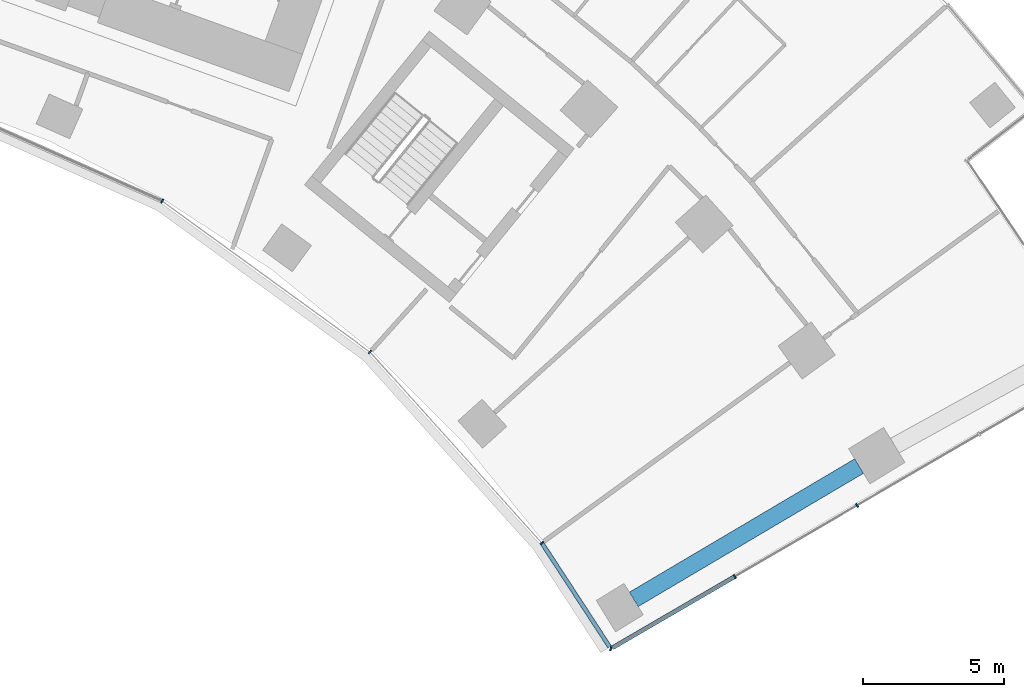
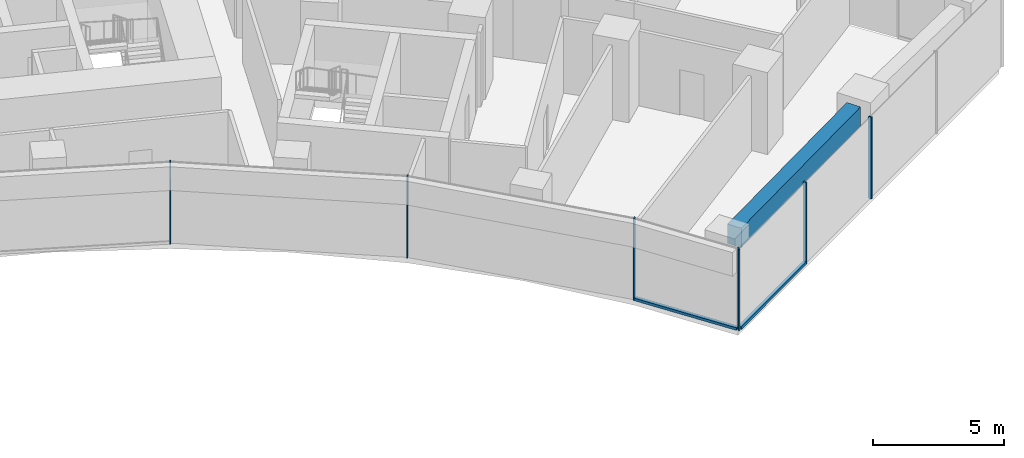
# One storey, part 7 of 21: 8 members, 1 beam, 2 elements without a shape of their own.
"""IFC4 building model written with IfcOpenShell, lengths in metres."""

from ifc_helpers import new_model, si_unit, direction, frame, origin, origin_2d, place, context, subcontext, project, spatial, rectangle, extrude, material, layer, layer_set, material_profile, profile_set, type_object, element, aggregate, save


model = new_model("IFC4")

# Units and contexts
model_context = context("Model", 3, precision=1e-05, world=origin(), true_north=direction((0.0, 1.0)))
body_context = subcontext(model_context, "Body", "Model", "MODEL_VIEW")
ifc_project = project(units=[si_unit("LENGTHUNIT", "METRE"), si_unit("AREAUNIT", "SQUARE_METRE"), si_unit("VOLUMEUNIT", "CUBIC_METRE"), si_unit("PLANEANGLEUNIT", "RADIAN"), si_unit("MASSUNIT", "GRAM", prefix="KILO")], contexts=[model_context])

# Site, building, storey
site_placement = place(None, origin())
site = spatial("IfcSite", under=ifc_project, at=site_placement, CompositionType="ELEMENT")
building_placement = place(site_placement, origin())
building = spatial("IfcBuilding", under=site, at=building_placement, Name="Stone Belt Terrace Tower", CompositionType="ELEMENT")
storey_placement = place(building_placement, frame((0.0, 0.0, 117.39990234375)))
storey = spatial("IfcBuildingStorey", under=building, at=storey_placement, Name="L28", CompositionType="ELEMENT", Elevation=117.39990234375)

# Curtain wall, members
ifc_material_1 = material(Name="Aluminium 6063-T6 anodised frame", Category="aluminium")
ifc_layer_1 = layer(ifc_material_1, 0.14990234375)
ifc_layer_set_1 = layer_set([ifc_layer_1], Name="CW-B unitised concave-face curtain wall")
curtain_wall_type_1 = type_object("IfcCurtainWallType", Name="CW-B unitised concave-face curtain wall", PredefinedType="NOTDEFINED", material=ifc_layer_set_1)
curtain_wall_1_placement = place(storey_placement, origin())
curtain_wall_1 = element("IfcCurtainWall", 1, at=curtain_wall_1_placement, inside=storey, type_object=curtain_wall_type_1, Name="CW-B concave face L28", PredefinedType="NOTDEFINED")
ifc_material_profile_1 = material_profile(ifc_material_1, rectangle(XDim=0.14990234375, YDim=0.050048828125, at=origin_2d()), Name="Aluminium 6063-T6 50x150")
ifc_profile_set_1 = profile_set([ifc_material_profile_1], Name="Aluminium 6063-T6 anodised frame")
member_type_1 = type_object("IfcMemberType", Name="CW-B mullion 50 x 150", PredefinedType="MULLION", material=ifc_profile_set_1)
member_1_placement = place(storey_placement, frame((21.71240234375, 37.606689453125, 0.0), z_axis=(0.0, 0.0, 1.0), x_axis=(0.5, 0.866025403784, 0.0)))
member_1 = element("IfcMember", 2, at=member_1_placement, type_object=member_type_1, Name="CW-B mullion 8", PredefinedType="MULLION", context=body_context, shape_type="SweptSolid", body=[
    extrude(rectangle(XDim=0.14990234375, YDim=0.050048828125, at=origin_2d()), origin(), (0.0, 0.0, 1.0), 3.800048828125),
])
member_2_placement = place(storey_placement, frame((29.056640625, 32.270751953125, 0.0), z_axis=(0.0, 0.0, 1.0), x_axis=(0.669130606359, 0.743144825477, 0.0)))
member_2 = element("IfcMember", 3, at=member_2_placement, type_object=member_type_1, Name="CW-B mullion 9", PredefinedType="MULLION", context=body_context, shape_type="SweptSolid", body=[
    extrude(rectangle(XDim=0.14990234375, YDim=0.050048828125, at=origin_2d()), origin(), (0.0, 0.0, 1.0), 3.800048828125),
])
member_3_placement = place(storey_placement, frame((35.132568359375, 25.522705078125, 0.0), z_axis=(0.0, 0.0, 1.0), x_axis=(0.792811047542, 0.609467507662, 0.0)))
member_3 = element("IfcMember", 4, at=member_3_placement, type_object=member_type_1, Name="CW-B mullion 10", PredefinedType="MULLION", context=body_context, shape_type="SweptSolid", body=[
    extrude(rectangle(XDim=0.14990234375, YDim=0.050048828125, at=origin_2d()), origin(), (0.0, 0.0, 1.0), 3.800048828125),
])
ifc_material_profile_2 = material_profile(ifc_material_1, rectangle(XDim=0.14990234375, YDim=0.1201171875, at=origin_2d()), Name="Aluminium 6063-T6 150x120")
ifc_profile_set_2 = profile_set([ifc_material_profile_2], Name="Aluminium 6063-T6 anodised frame")
member_type_2 = type_object("IfcMemberType", Name="CW-B transom 120 x 150", PredefinedType="USERDEFINED", material=ifc_profile_set_2)
member_4_placement = place(storey_placement, frame((35.1494140625, 25.4970703125, 0.06005859375), z_axis=(0.546136356084, -0.83769629375, 0.0), x_axis=(0.83769629375, 0.546136356084, 0.0)))
member_4 = element("IfcMember", 5, at=member_4_placement, type_object=member_type_2, Name="CW-B transom 10.1", ObjectType="TRANSOM", PredefinedType="USERDEFINED", context=body_context, shape_type="SweptSolid", body=[
    extrude(rectangle(XDim=0.14990234375, YDim=0.1201171875, at=origin_2d()), origin(), (0.0, 0.0, 1.0), 4.363525390625),
])
aggregate(curtain_wall_1, [member_1, member_2, member_3, member_4])

ifc_layer_2 = layer(ifc_material_1, 0.14990234375)
ifc_layer_set_2 = layer_set([ifc_layer_2], Name="CW-C stick curtain wall, horn ends and notches")
curtain_wall_type_2 = type_object("IfcCurtainWallType", Name="CW-C stick curtain wall, horn ends and notches", PredefinedType="NOTDEFINED", material=ifc_layer_set_2)
curtain_wall_2_placement = place(storey_placement, origin())
curtain_wall_2 = element("IfcCurtainWall", 6, at=curtain_wall_2_placement, inside=storey, type_object=curtain_wall_type_2, Name="CW-C end face L28", PredefinedType="NOTDEFINED")
ifc_material_profile_3 = material_profile(ifc_material_1, rectangle(XDim=0.14990234375, YDim=0.06005859375, at=origin_2d()), Name="Aluminium 6063-T6 60x150")
ifc_profile_set_3 = profile_set([ifc_material_profile_3], Name="Aluminium 6063-T6 anodised frame")
member_type_3 = type_object("IfcMemberType", Name="CW-C mullion 60 x 150", PredefinedType="MULLION", material=ifc_profile_set_3)
member_5_placement = place(storey_placement, frame((37.570556640625, 21.783447265625, 0.0), z_axis=(0.0, 0.0, 1.0), x_axis=(0.230847440535, 0.972989958426, 0.0)))
member_5 = element("IfcMember", 7, at=member_5_placement, type_object=member_type_3, Name="CW-C mullion 1", PredefinedType="MULLION", context=body_context, shape_type="SweptSolid", body=[
    extrude(rectangle(XDim=0.14990234375, YDim=0.06005859375, at=origin_2d()), origin(), (0.0, 0.0, 1.0), 3.800048828125),
])
member_6_placement = place(storey_placement, frame((41.953369140625, 24.334716796875, 0.0), z_axis=(0.0, 0.0, 1.0), x_axis=(-0.503080901861, 0.864239322284, 0.0)))
member_6 = element("IfcMember", 8, at=member_6_placement, type_object=member_type_3, Name="CW-C mullion 2", PredefinedType="MULLION", context=body_context, shape_type="SweptSolid", body=[
    extrude(rectangle(XDim=0.14990234375, YDim=0.06005859375, at=origin_2d()), origin(), (0.0, 0.0, 1.0), 3.800048828125),
])
member_7_placement = place(storey_placement, frame((46.2744140625, 26.85009765625, 0.0), z_axis=(0.0, 0.0, 1.0), x_axis=(-0.503080901861, 0.864239322284, 0.0)))
member_7 = element("IfcMember", 9, at=member_7_placement, type_object=member_type_3, Name="CW-C mullion 3", PredefinedType="MULLION", context=body_context, shape_type="SweptSolid", body=[
    extrude(rectangle(XDim=0.14990234375, YDim=0.06005859375, at=origin_2d()), origin(), (0.0, 0.0, 1.0), 3.800048828125),
])
ifc_material_profile_4 = material_profile(ifc_material_1, rectangle(XDim=0.14990234375, YDim=0.1201171875, at=origin_2d()), Name="Aluminium 6063-T6 150x120")
ifc_profile_set_4 = profile_set([ifc_material_profile_4], Name="Aluminium 6063-T6 anodised frame")
member_type_4 = type_object("IfcMemberType", Name="CW-C transom 120 x 150", PredefinedType="USERDEFINED", material=ifc_profile_set_4)
member_8_placement = place(storey_placement, frame((37.634033203125, 21.8203125, 0.06005859375), z_axis=(0.864238402529, 0.5030824819, 0.0), x_axis=(-0.5030824819, 0.864238402529, 0.0)))
member_8 = element("IfcMember", 10, at=member_8_placement, type_object=member_type_4, Name="CW-C transom 1.1", ObjectType="TRANSOM", PredefinedType="USERDEFINED", context=body_context, shape_type="SweptSolid", body=[
    extrude(rectangle(XDim=0.14990234375, YDim=0.1201171875, at=origin_2d()), origin(), (0.0, 0.0, 1.0), 4.968017578125),
])
aggregate(curtain_wall_2, [member_5, member_6, member_7, member_8])

# Beam
ifc_material_2 = material(Name="Concrete B60", Category="concrete")
ifc_material_profile_5 = material_profile(ifc_material_2, rectangle(XDim=0.60009765625, YDim=0.89990234375, at=origin_2d()), Name="RC 600x900")
ifc_profile_set_5 = profile_set([ifc_material_profile_5], Name="Concrete B60")
beam_type = type_object("IfcBeamType", Name="Edge beam RC 600x900 B60", PredefinedType="SPANDREL", material=ifc_profile_set_5)
beam_placement = place(storey_placement, frame((38.3828125, 23.52783203125, 3.030029296875), z_axis=(0.860646513691, 0.509202885372, 0.0), x_axis=(-0.509202885372, 0.860646513691, 0.0)))
element("IfcBeam", 11, at=beam_placement, inside=storey, type_object=beam_type, Name="Edge beam L28 B P to Q", PredefinedType="SPANDREL", context=body_context, shape_type="SweptSolid", body=[
    extrude(rectangle(XDim=0.60009765625, YDim=0.89990234375, at=origin_2d()), origin(), (0.0, 0.0, 1.0), 9.255859375),
])

save(model, "model.ifc")
